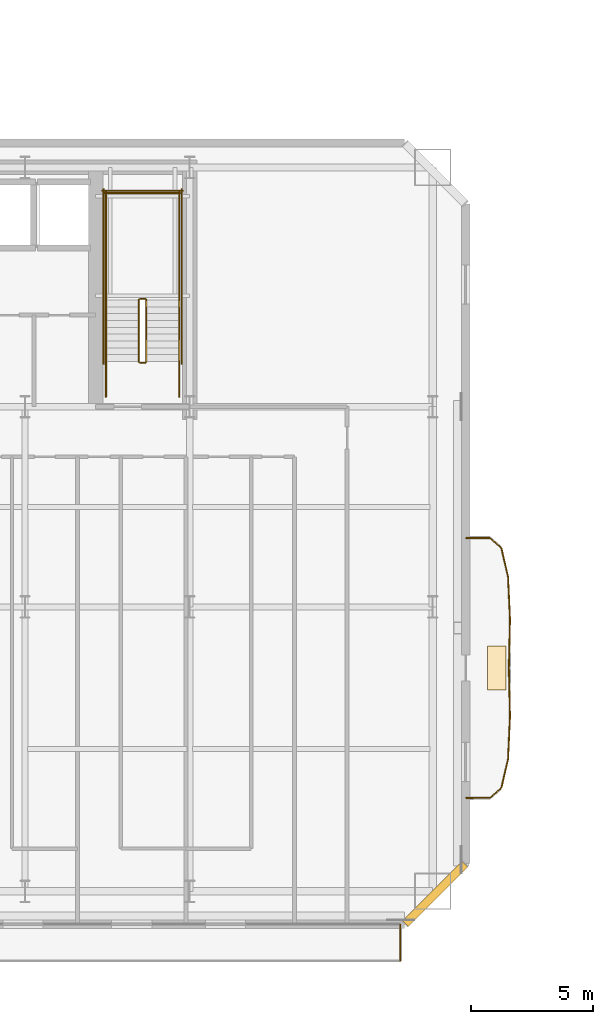
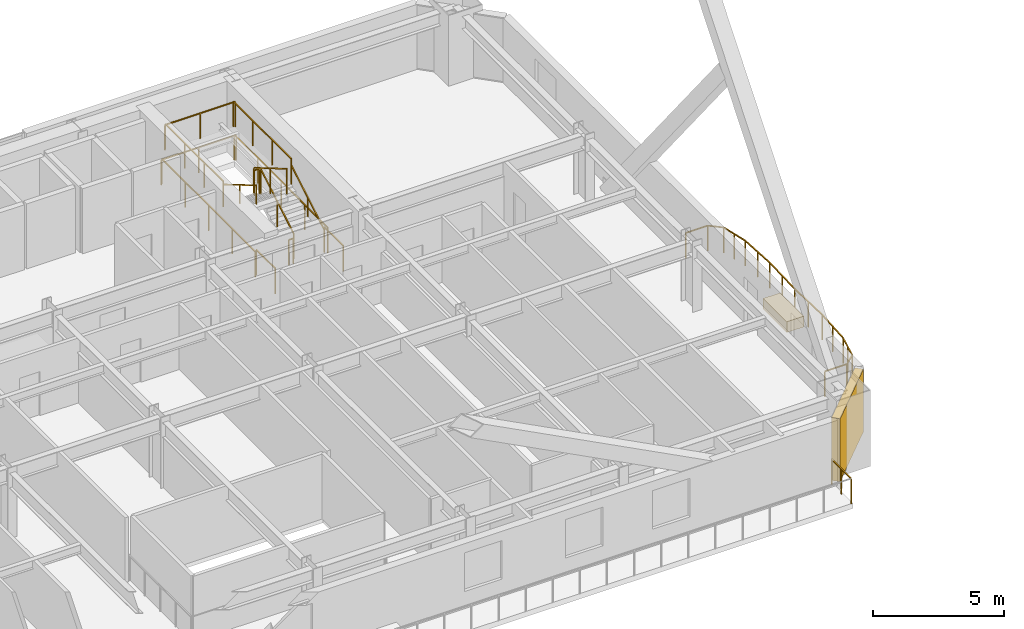
# One storey, part 18 of 22: 25 railings, 1 covering, 1 shading device.
"""IFC4 building model written with IfcOpenShell, lengths in metres."""

from ifc_helpers import new_model, si_unit, direction, frame, origin, origin_2d, place, context, subcontext, project, spatial, rectangle, extrude, material, layer, layer_set, type_object, element, save


model = new_model("IFC4")

# Units and contexts
model_context = context("Model", 3, precision=1e-05, world=origin(), true_north=direction((0.0, 1.0)))
body_context = subcontext(model_context, "Body", "Model", "MODEL_VIEW")
ifc_project = project(units=[si_unit("LENGTHUNIT", "METRE"), si_unit("AREAUNIT", "SQUARE_METRE"), si_unit("VOLUMEUNIT", "CUBIC_METRE"), si_unit("PLANEANGLEUNIT", "RADIAN"), si_unit("MASSUNIT", "GRAM", prefix="KILO")], contexts=[model_context])

# Site, building, storey
site_placement = place(None, origin())
site = spatial("IfcSite", under=ifc_project, at=site_placement, CompositionType="ELEMENT")
building_placement = place(site_placement, origin())
building = spatial("IfcBuilding", under=site, at=building_placement, Name="Haevon Station Towers", CompositionType="ELEMENT")
storey_placement = place(building_placement, frame((0.0, 0.0, 70.199951171875)))
storey = spatial("IfcBuildingStorey", under=building, at=storey_placement, Name="L18", CompositionType="ELEMENT", Elevation=70.199951171875)

# Railings
ifc_material_1 = material(Name="Steel S355", Category="steel")
railing_type_1 = type_object("IfcRailingType", Name="GRD-EXT1200", PredefinedType="GUARDRAIL", material=ifc_material_1)
railing_1_placement = place(storey_placement, frame((59.6201171875, 15.502685546875, 0.0)))
element("IfcRailing", 1, at=railing_1_placement, inside=storey, type_object=railing_type_1, Name="L18 Perimeter Guardrail 2", PredefinedType="GUARDRAIL", context=body_context, shape_type="SweptSolid", body=[
    extrude(rectangle(XDim=0.048095703125, YDim=0.048095703125, at=origin_2d()), frame((0.0, 0.0, 1.17578125), z_axis=(0.0, 1.0, 0.0), x_axis=(-1.0, 0.0, 0.0)), (0.0, 0.0, 1.0), 1.489501953125),
    extrude(rectangle(XDim=0.0419921875, YDim=0.0419921875, at=origin_2d()), origin(), (0.0, 0.0, 1.0), 1.15185546875),
    extrude(rectangle(XDim=0.0419921875, YDim=0.0419921875, at=origin_2d()), frame((0.0, 0.74462890625, 0.0)), (0.0, 0.0, 1.0), 1.15185546875),
    extrude(rectangle(XDim=0.0419921875, YDim=0.0419921875, at=origin_2d()), frame((0.0, 1.489501953125, 0.0)), (0.0, 0.0, 1.0), 1.15185546875),
])
railing_2_placement = place(storey_placement, frame((62.3232421875, 22.177978515625, 0.0)))
element("IfcRailing", 2, at=railing_2_placement, inside=storey, type_object=railing_type_1, Name="L18 Perimeter Guardrail 1", PredefinedType="GUARDRAIL", context=body_context, shape_type="SweptSolid", body=[
    extrude(rectangle(XDim=0.048095703125, YDim=0.048095703125, at=origin_2d()), frame((0.0, 0.0, 1.17578125), z_axis=(0.999997990976, 0.002004506121, 0.0), x_axis=(-0.002004506121, 0.999997990976, 0.0)), (0.0, 0.0, 1.0), 0.974365234375),
    extrude(rectangle(XDim=0.0419921875, YDim=0.0419921875, at=origin_2d()), origin(), (0.0, 0.0, 1.0), 1.15185546875),
    extrude(rectangle(XDim=0.0419921875, YDim=0.0419921875, at=origin_2d()), frame((0.974365234375, 0.001953125, 0.0)), (0.0, 0.0, 1.0), 1.15185546875),
])
railing_3_placement = place(storey_placement, frame((63.297607421875, 22.179931640625, 0.0)))
element("IfcRailing", 3, at=railing_3_placement, inside=storey, type_object=railing_type_1, Name="L18 Perimeter Guardrail 2", PredefinedType="GUARDRAIL", context=body_context, shape_type="SweptSolid", body=[
    extrude(rectangle(XDim=0.048095703125, YDim=0.048095703125, at=origin_2d()), frame((0.0, 0.0, 1.17578125), z_axis=(0.750946844262, 0.660362655738, 0.0), x_axis=(-0.660362655738, 0.750946844262, 0.0)), (0.0, 0.0, 1.0), 0.62255859375),
    extrude(rectangle(XDim=0.0419921875, YDim=0.0419921875, at=origin_2d()), origin(), (0.0, 0.0, 1.0), 1.15185546875),
    extrude(rectangle(XDim=0.0419921875, YDim=0.0419921875, at=origin_2d()), frame((0.467529296875, 0.4111328125, 0.0)), (0.0, 0.0, 1.0), 1.15185546875),
])
railing_4_placement = place(storey_placement, frame((63.76513671875, 22.591064453125, 0.0)))
element("IfcRailing", 4, at=railing_4_placement, inside=storey, type_object=railing_type_1, Name="L18 Perimeter Guardrail 3", PredefinedType="GUARDRAIL", context=body_context, shape_type="SweptSolid", body=[
    extrude(rectangle(XDim=0.048095703125, YDim=0.048095703125, at=origin_2d()), frame((0.0, 0.0, 1.17578125), z_axis=(0.227396637596, 0.973802222841, 0.0), x_axis=(-0.973802222841, 0.227396637596, 0.0)), (0.0, 0.0, 1.0), 1.201416015625),
    extrude(rectangle(XDim=0.0419921875, YDim=0.0419921875, at=origin_2d()), origin(), (0.0, 0.0, 1.0), 1.15185546875),
    extrude(rectangle(XDim=0.0419921875, YDim=0.0419921875, at=origin_2d()), frame((0.13671875, 0.5849609375, 0.0)), (0.0, 0.0, 1.0), 1.15185546875),
    extrude(rectangle(XDim=0.0419921875, YDim=0.0419921875, at=origin_2d()), frame((0.273193359375, 1.169921875, 0.0)), (0.0, 0.0, 1.0), 1.15185546875),
])
railing_5_placement = place(storey_placement, frame((64.038330078125, 23.760986328125, 0.0)))
element("IfcRailing", 5, at=railing_5_placement, inside=storey, type_object=railing_type_1, Name="L18 Perimeter Guardrail 4", PredefinedType="GUARDRAIL", context=body_context, shape_type="SweptSolid", body=[
    extrude(rectangle(XDim=0.048095703125, YDim=0.048095703125, at=origin_2d()), frame((0.0, 0.0, 1.17578125), z_axis=(0.046280248454, 0.99892849524, 0.0), x_axis=(-0.99892849524, 0.046280248454, 0.0)), (0.0, 0.0, 1.0), 1.75146484375),
    extrude(rectangle(XDim=0.0419921875, YDim=0.0419921875, at=origin_2d()), origin(), (0.0, 0.0, 1.0), 1.15185546875),
    extrude(rectangle(XDim=0.0419921875, YDim=0.0419921875, at=origin_2d()), frame((0.04052734375, 0.874755859375, 0.0)), (0.0, 0.0, 1.0), 1.15185546875),
    extrude(rectangle(XDim=0.0419921875, YDim=0.0419921875, at=origin_2d()), frame((0.0810546875, 1.74951171875, 0.0)), (0.0, 0.0, 1.0), 1.15185546875),
])
railing_6_placement = place(storey_placement, frame((64.119384765625, 25.510498046875, 0.0)))
element("IfcRailing", 6, at=railing_6_placement, inside=storey, type_object=railing_type_1, Name="L18 Perimeter Guardrail 5", PredefinedType="GUARDRAIL", context=body_context, shape_type="SweptSolid", body=[
    extrude(rectangle(XDim=0.048095703125, YDim=0.048095703125, at=origin_2d()), frame((0.0, 0.0, 1.17578125), z_axis=(-0.02416768438, 0.99970791886, 0.0), x_axis=(-0.99970791886, -0.02416768438, 0.0)), (0.0, 0.0, 1.0), 1.989990234375),
    extrude(rectangle(XDim=0.0419921875, YDim=0.0419921875, at=origin_2d()), origin(), (0.0, 0.0, 1.0), 1.15185546875),
    extrude(rectangle(XDim=0.0419921875, YDim=0.0419921875, at=origin_2d()), frame((-0.02392578125, 0.99462890625, 0.0)), (0.0, 0.0, 1.0), 1.15185546875),
    extrude(rectangle(XDim=0.0419921875, YDim=0.0419921875, at=origin_2d()), frame((-0.048095703125, 1.989501953125, 0.0)), (0.0, 0.0, 1.0), 1.15185546875),
])
railing_7_placement = place(storey_placement, frame((64.0712890625, 27.5, 0.0)))
element("IfcRailing", 7, at=railing_7_placement, inside=storey, type_object=railing_type_1, Name="L18 Perimeter Guardrail 6", PredefinedType="GUARDRAIL", context=body_context, shape_type="SweptSolid", body=[
    extrude(rectangle(XDim=0.048095703125, YDim=0.048095703125, at=origin_2d()), frame((0.0, 0.0, 1.17578125), z_axis=(0.02416768438, 0.99970791886, 0.0), x_axis=(-0.99970791886, 0.02416768438, 0.0)), (0.0, 0.0, 1.0), 1.989990234375),
    extrude(rectangle(XDim=0.0419921875, YDim=0.0419921875, at=origin_2d()), origin(), (0.0, 0.0, 1.0), 1.15185546875),
    extrude(rectangle(XDim=0.0419921875, YDim=0.0419921875, at=origin_2d()), frame((0.02392578125, 0.99462890625, 0.0)), (0.0, 0.0, 1.0), 1.15185546875),
    extrude(rectangle(XDim=0.0419921875, YDim=0.0419921875, at=origin_2d()), frame((0.048095703125, 1.989501953125, 0.0)), (0.0, 0.0, 1.0), 1.15185546875),
])
railing_8_placement = place(storey_placement, frame((64.119384765625, 29.489501953125, 0.0)))
element("IfcRailing", 8, at=railing_8_placement, inside=storey, type_object=railing_type_1, Name="L18 Perimeter Guardrail 7", PredefinedType="GUARDRAIL", context=body_context, shape_type="SweptSolid", body=[
    extrude(rectangle(XDim=0.048095703125, YDim=0.048095703125, at=origin_2d()), frame((0.0, 0.0, 1.17578125), z_axis=(-0.046280248454, 0.99892849524, 0.0), x_axis=(-0.99892849524, -0.046280248454, 0.0)), (0.0, 0.0, 1.0), 1.75146484375),
    extrude(rectangle(XDim=0.0419921875, YDim=0.0419921875, at=origin_2d()), origin(), (0.0, 0.0, 1.0), 1.15185546875),
    extrude(rectangle(XDim=0.0419921875, YDim=0.0419921875, at=origin_2d()), frame((-0.04052734375, 0.874755859375, 0.0)), (0.0, 0.0, 1.0), 1.15185546875),
    extrude(rectangle(XDim=0.0419921875, YDim=0.0419921875, at=origin_2d()), frame((-0.0810546875, 1.74951171875, 0.0)), (0.0, 0.0, 1.0), 1.15185546875),
])
railing_9_placement = place(storey_placement, frame((64.038330078125, 31.239013671875, 0.0)))
element("IfcRailing", 9, at=railing_9_placement, inside=storey, type_object=railing_type_1, Name="L18 Perimeter Guardrail 8", PredefinedType="GUARDRAIL", context=body_context, shape_type="SweptSolid", body=[
    extrude(rectangle(XDim=0.048095703125, YDim=0.048095703125, at=origin_2d()), frame((0.0, 0.0, 1.17578125), z_axis=(-0.227396637596, 0.973802222841, 0.0), x_axis=(-0.973802222841, -0.227396637596, 0.0)), (0.0, 0.0, 1.0), 1.201416015625),
    extrude(rectangle(XDim=0.0419921875, YDim=0.0419921875, at=origin_2d()), origin(), (0.0, 0.0, 1.0), 1.15185546875),
    extrude(rectangle(XDim=0.0419921875, YDim=0.0419921875, at=origin_2d()), frame((-0.13671875, 0.5849609375, 0.0)), (0.0, 0.0, 1.0), 1.15185546875),
    extrude(rectangle(XDim=0.0419921875, YDim=0.0419921875, at=origin_2d()), frame((-0.273193359375, 1.169921875, 0.0)), (0.0, 0.0, 1.0), 1.15185546875),
])
railing_10_placement = place(storey_placement, frame((63.76513671875, 32.408935546875, 0.0)))
element("IfcRailing", 10, at=railing_10_placement, inside=storey, type_object=railing_type_1, Name="L18 Perimeter Guardrail 9", PredefinedType="GUARDRAIL", context=body_context, shape_type="SweptSolid", body=[
    extrude(rectangle(XDim=0.048095703125, YDim=0.048095703125, at=origin_2d()), frame((0.0, 0.0, 1.17578125), z_axis=(-0.750946844262, 0.660362655738, 0.0), x_axis=(-0.660362655738, -0.750946844262, 0.0)), (0.0, 0.0, 1.0), 0.62255859375),
    extrude(rectangle(XDim=0.0419921875, YDim=0.0419921875, at=origin_2d()), origin(), (0.0, 0.0, 1.0), 1.15185546875),
    extrude(rectangle(XDim=0.0419921875, YDim=0.0419921875, at=origin_2d()), frame((-0.467529296875, 0.4111328125, 0.0)), (0.0, 0.0, 1.0), 1.15185546875),
])
railing_11_placement = place(storey_placement, frame((63.297607421875, 32.820068359375, 0.0)))
element("IfcRailing", 11, at=railing_11_placement, inside=storey, type_object=railing_type_1, Name="L18 Perimeter Guardrail 10", PredefinedType="GUARDRAIL", context=body_context, shape_type="SweptSolid", body=[
    extrude(rectangle(XDim=0.048095703125, YDim=0.048095703125, at=origin_2d()), frame((0.0, 0.0, 1.17578125), z_axis=(-0.999997990976, 0.002004506121, 0.0), x_axis=(-0.002004506121, -0.999997990976, 0.0)), (0.0, 0.0, 1.0), 0.974365234375),
    extrude(rectangle(XDim=0.0419921875, YDim=0.0419921875, at=origin_2d()), origin(), (0.0, 0.0, 1.0), 1.15185546875),
    extrude(rectangle(XDim=0.0419921875, YDim=0.0419921875, at=origin_2d()), frame((-0.974365234375, 0.001953125, 0.0)), (0.0, 0.0, 1.0), 1.15185546875),
])
railing_type_2 = type_object("IfcRailingType", Name="GRD-STR1200", PredefinedType="GUARDRAIL", material=ifc_material_1)
railing_12_placement = place(storey_placement, frame((49.219970703125, 40.050048828125, 0.1650390625)))
element("IfcRailing", 12, at=railing_12_placement, inside=storey, type_object=railing_type_2, Name="L18 ST2 Stair Guard 1", PredefinedType="GUARDRAIL", context=body_context, shape_type="SweptSolid", body=[
    extrude(rectangle(XDim=0.048095703125, YDim=0.048095703125, at=origin_2d()), frame((0.0, 0.0, 1.17578125), z_axis=(0.0, 0.86152411907, 0.507716645641), x_axis=(-1.0, 0.0, 0.0)), (0.0, 0.0, 1.0), 2.925048828125),
    extrude(rectangle(XDim=0.0419921875, YDim=0.0419921875, at=origin_2d()), origin(), (0.0, 0.0, 1.0), 1.15185546875),
    extrude(rectangle(XDim=0.0419921875, YDim=0.0419921875, at=origin_2d()), frame((0.0, 1.260009765625, 0.74267578125)), (0.0, 0.0, 1.0), 1.15185546875),
    extrude(rectangle(XDim=0.0419921875, YDim=0.0419921875, at=origin_2d()), frame((0.0, 2.52001953125, 1.485107421875)), (0.0, 0.0, 1.0), 1.15185546875),
])
railing_13_placement = place(storey_placement, frame((49.169921875, 42.6201171875, 1.650146484375)))
element("IfcRailing", 13, at=railing_13_placement, inside=storey, type_object=railing_type_2, Name="L18 ST2 Stair Guard 2", PredefinedType="GUARDRAIL", context=body_context, shape_type="SweptSolid", body=[
    extrude(rectangle(XDim=0.048095703125, YDim=0.048095703125, at=origin_2d()), frame((0.0, 0.0, 1.17578125), z_axis=(-1.0, 0.0, 0.0), x_axis=(0.0, -1.0, 0.0)), (0.0, 0.0, 1.0), 0.199951171875),
    extrude(rectangle(XDim=0.0419921875, YDim=0.0419921875, at=origin_2d()), origin(), (0.0, 0.0, 1.0), 1.15185546875),
    extrude(rectangle(XDim=0.0419921875, YDim=0.0419921875, at=origin_2d()), frame((-0.199951171875, 0.0, 0.0)), (0.0, 0.0, 1.0), 1.15185546875),
])
for number, where, name in (
    (14, (50.570068359375, 42.570068359375, 1.650146484375), "L18 ST2 Stair Guard 3"),
    (15, (47.570068359375, 42.570068359375, 1.650146484375), "L18 ST2 Stair Guard 4"),
):
    element("IfcRailing", number, at=place(storey_placement, frame(where)), inside=storey, type_object=railing_type_2, Name=name, PredefinedType="GUARDRAIL", context=body_context, shape_type="SweptSolid", body=[
        extrude(rectangle(XDim=0.048095703125, YDim=0.048095703125, at=origin_2d()), frame((0.0, 0.0, 1.17578125), z_axis=(0.0, 1.0, 0.0), x_axis=(-1.0, 0.0, 0.0)), (0.0, 0.0, 1.0), 4.429931640625),
        extrude(rectangle(XDim=0.0419921875, YDim=0.0419921875, at=origin_2d()), origin(), (0.0, 0.0, 1.0), 1.15185546875),
        extrude(rectangle(XDim=0.0419921875, YDim=0.0419921875, at=origin_2d()), frame((0.0, 1.4765625, 0.0)), (0.0, 0.0, 1.0), 1.15185546875),
        extrude(rectangle(XDim=0.0419921875, YDim=0.0419921875, at=origin_2d()), frame((0.0, 2.953369140625, 0.0)), (0.0, 0.0, 1.0), 1.15185546875),
        extrude(rectangle(XDim=0.0419921875, YDim=0.0419921875, at=origin_2d()), frame((0.0, 4.429931640625, 0.0)), (0.0, 0.0, 1.0), 1.15185546875),
    ])
railing_14_placement = place(storey_placement, frame((50.6201171875, 46.949951171875, 1.650146484375)))
element("IfcRailing", 16, at=railing_14_placement, inside=storey, type_object=railing_type_2, Name="L18 ST2 Stair Guard 5", PredefinedType="GUARDRAIL", context=body_context, shape_type="SweptSolid", body=[
    extrude(rectangle(XDim=0.048095703125, YDim=0.048095703125, at=origin_2d()), frame((0.0, 0.0, 1.17578125), z_axis=(-1.0, 0.0, 0.0), x_axis=(0.0, -1.0, 0.0)), (0.0, 0.0, 1.0), 3.10009765625),
    extrude(rectangle(XDim=0.0419921875, YDim=0.0419921875, at=origin_2d()), origin(), (0.0, 0.0, 1.0), 1.15185546875),
    extrude(rectangle(XDim=0.0419921875, YDim=0.0419921875, at=origin_2d()), frame((-1.550048828125, 0.0, 0.0)), (0.0, 0.0, 1.0), 1.15185546875),
    extrude(rectangle(XDim=0.0419921875, YDim=0.0419921875, at=origin_2d()), frame((-3.10009765625, 0.0, 0.0)), (0.0, 0.0, 1.0), 1.15185546875),
])
railing_15_placement = place(storey_placement, frame((48.919921875, 42.570068359375, 1.81494140625)))
element("IfcRailing", 17, at=railing_15_placement, inside=storey, type_object=railing_type_2, Name="L18 ST2 Stair Guard 6", PredefinedType="GUARDRAIL", context=body_context, shape_type="SweptSolid", body=[
    extrude(rectangle(XDim=0.048095703125, YDim=0.048095703125, at=origin_2d()), frame((0.0, 0.0, 1.17578125), z_axis=(0.0, -0.86152411907, 0.507716645641), x_axis=(1.0, 0.0, 0.0)), (0.0, 0.0, 1.0), 2.925048828125),
    extrude(rectangle(XDim=0.0419921875, YDim=0.0419921875, at=origin_2d()), origin(), (0.0, 0.0, 1.0), 1.15185546875),
    extrude(rectangle(XDim=0.0419921875, YDim=0.0419921875, at=origin_2d()), frame((0.0, -1.260009765625, 0.74267578125)), (0.0, 0.0, 1.0), 1.15185546875),
    extrude(rectangle(XDim=0.0419921875, YDim=0.0419921875, at=origin_2d()), frame((0.0, -2.52001953125, 1.485107421875)), (0.0, 0.0, 1.0), 1.15185546875),
])
railing_16_placement = place(storey_placement, frame((49.169921875, 40.0, 0.0)))
element("IfcRailing", 18, at=railing_16_placement, inside=storey, type_object=railing_type_2, Name="L18 ST2 Stair Guard 7", PredefinedType="GUARDRAIL", context=body_context, shape_type="SweptSolid", body=[
    extrude(rectangle(XDim=0.048095703125, YDim=0.048095703125, at=origin_2d()), frame((0.0, 0.0, 1.17578125), z_axis=(-1.0, 0.0, 0.0), x_axis=(0.0, -1.0, 0.0)), (0.0, 0.0, 1.0), 0.199951171875),
    extrude(rectangle(XDim=0.0419921875, YDim=0.0419921875, at=origin_2d()), origin(), (0.0, 0.0, 1.0), 1.15185546875),
    extrude(rectangle(XDim=0.0419921875, YDim=0.0419921875, at=origin_2d()), frame((-0.199951171875, 0.0, 0.0)), (0.0, 0.0, 1.0), 1.15185546875),
])
for number, where, name in (
    (19, (50.570068359375, 38.60009765625, 0.0), "L18 ST2 Stair Guard 8"),
    (20, (47.570068359375, 38.60009765625, 0.0), "L18 ST2 Stair Guard 9"),
):
    element("IfcRailing", number, at=place(storey_placement, frame(where)), inside=storey, type_object=railing_type_2, Name=name, PredefinedType="GUARDRAIL", context=body_context, shape_type="SweptSolid", body=[
        extrude(rectangle(XDim=0.048095703125, YDim=0.048095703125, at=origin_2d()), frame((0.0, 0.0, 1.17578125), z_axis=(0.0, 1.0, 0.0), x_axis=(-1.0, 0.0, 0.0)), (0.0, 0.0, 1.0), 1.449951171875),
        extrude(rectangle(XDim=0.0419921875, YDim=0.0419921875, at=origin_2d()), origin(), (0.0, 0.0, 1.0), 1.15185546875),
        extrude(rectangle(XDim=0.0419921875, YDim=0.0419921875, at=origin_2d()), frame((0.0, 1.449951171875, 0.0)), (0.0, 0.0, 1.0), 1.15185546875),
    ])
for number, where, name in (
    (21, (50.669921875, 39.949951171875, 0.0), "L18 ST2 Stair Guard 10"),
    (22, (47.469970703125, 39.949951171875, 0.0), "L18 ST2 Stair Guard 11"),
):
    element("IfcRailing", number, at=place(storey_placement, frame(where)), inside=storey, type_object=railing_type_2, Name=name, PredefinedType="GUARDRAIL", context=body_context, shape_type="SweptSolid", body=[
        extrude(rectangle(XDim=0.048095703125, YDim=0.048095703125, at=origin_2d()), frame((0.0, 0.0, 1.17578125), z_axis=(0.0, 1.0, 0.0), x_axis=(-1.0, 0.0, 0.0)), (0.0, 0.0, 1.0), 7.150146484375),
        extrude(rectangle(XDim=0.0419921875, YDim=0.0419921875, at=origin_2d()), origin(), (0.0, 0.0, 1.0), 1.15185546875),
        extrude(rectangle(XDim=0.0419921875, YDim=0.0419921875, at=origin_2d()), frame((0.0, 1.78759765625, 0.0)), (0.0, 0.0, 1.0), 1.15185546875),
        extrude(rectangle(XDim=0.0419921875, YDim=0.0419921875, at=origin_2d()), frame((0.0, 3.5751953125, 0.0)), (0.0, 0.0, 1.0), 1.15185546875),
        extrude(rectangle(XDim=0.0419921875, YDim=0.0419921875, at=origin_2d()), frame((0.0, 5.362548828125, 0.0)), (0.0, 0.0, 1.0), 1.15185546875),
        extrude(rectangle(XDim=0.0419921875, YDim=0.0419921875, at=origin_2d()), frame((0.0, 7.150146484375, 0.0)), (0.0, 0.0, 1.0), 1.15185546875),
    ])
railing_17_placement = place(storey_placement, frame((50.719970703125, 47.050048828125, 0.0)))
element("IfcRailing", 23, at=railing_17_placement, inside=storey, type_object=railing_type_2, Name="L18 ST2 Stair Guard 12", PredefinedType="GUARDRAIL", context=body_context, shape_type="SweptSolid", body=[
    extrude(rectangle(XDim=0.048095703125, YDim=0.048095703125, at=origin_2d()), frame((0.0, 0.0, 1.17578125), z_axis=(-1.0, 0.0, 0.0), x_axis=(0.0, -1.0, 0.0)), (0.0, 0.0, 1.0), 3.300048828125),
    extrude(rectangle(XDim=0.0419921875, YDim=0.0419921875, at=origin_2d()), origin(), (0.0, 0.0, 1.0), 1.15185546875),
    extrude(rectangle(XDim=0.0419921875, YDim=0.0419921875, at=origin_2d()), frame((-1.64990234375, 0.0, 0.0)), (0.0, 0.0, 1.0), 1.15185546875),
    extrude(rectangle(XDim=0.0419921875, YDim=0.0419921875, at=origin_2d()), frame((-3.300048828125, 0.0, 0.0)), (0.0, 0.0, 1.0), 1.15185546875),
])
railing_type_3 = type_object("IfcRailingType", Name="HND-STR900", PredefinedType="HANDRAIL", material=ifc_material_1)
railing_18_placement = place(storey_placement, frame((50.570068359375, 40.050048828125, 0.1650390625)))
element("IfcRailing", 24, at=railing_18_placement, inside=storey, type_object=railing_type_3, Name="L18 ST2 Stair Handrail 1", PredefinedType="HANDRAIL", context=body_context, shape_type="SweptSolid", body=[
    extrude(rectangle(XDim=0.048095703125, YDim=0.048095703125, at=origin_2d()), frame((0.0, 0.0, 0.8759765625), z_axis=(0.0, 0.86152411907, 0.507716645641), x_axis=(-1.0, 0.0, 0.0)), (0.0, 0.0, 1.0), 2.925048828125),
    extrude(rectangle(XDim=0.0419921875, YDim=0.0419921875, at=origin_2d()), origin(), (0.0, 0.0, 1.0), 0.851806640625),
    extrude(rectangle(XDim=0.0419921875, YDim=0.0419921875, at=origin_2d()), frame((0.0, 1.260009765625, 0.74267578125)), (0.0, 0.0, 1.0), 0.851806640625),
    extrude(rectangle(XDim=0.0419921875, YDim=0.0419921875, at=origin_2d()), frame((0.0, 2.52001953125, 1.485107421875)), (0.0, 0.0, 1.0), 0.851806640625),
])
railing_19_placement = place(storey_placement, frame((47.570068359375, 42.570068359375, 1.81494140625)))
element("IfcRailing", 25, at=railing_19_placement, inside=storey, type_object=railing_type_3, Name="L18 ST2 Stair Handrail 2", PredefinedType="HANDRAIL", context=body_context, shape_type="SweptSolid", body=[
    extrude(rectangle(XDim=0.048095703125, YDim=0.048095703125, at=origin_2d()), frame((0.0, 0.0, 0.8759765625), z_axis=(0.0, -0.86152411907, 0.507716645641), x_axis=(1.0, 0.0, 0.0)), (0.0, 0.0, 1.0), 2.925048828125),
    extrude(rectangle(XDim=0.0419921875, YDim=0.0419921875, at=origin_2d()), origin(), (0.0, 0.0, 1.0), 0.851806640625),
    extrude(rectangle(XDim=0.0419921875, YDim=0.0419921875, at=origin_2d()), frame((0.0, -1.260009765625, 0.74267578125)), (0.0, 0.0, 1.0), 0.851806640625),
    extrude(rectangle(XDim=0.0419921875, YDim=0.0419921875, at=origin_2d()), frame((0.0, -2.52001953125, 1.485107421875)), (0.0, 0.0, 1.0), 0.851806640625),
])

# Covering
ifc_material_2 = material(Name="Architectural planter GRC", Category="concrete")
ifc_layer_1 = layer(ifc_material_2, 0.550048828125)
ifc_layer_set_1 = layer_set([ifc_layer_1], Name="Architectural planter GRC")
covering_type = type_object("IfcCoveringType", Name="PLN-GRC550", PredefinedType="MOLDING", material=ifc_layer_set_1)
covering_placement = place(storey_placement, frame((63.5693359375, 27.5, 0.0), z_axis=(0.0, 0.0, 1.0), x_axis=(1.0, 0.0, 0.0)))
element("IfcCovering", 26, at=covering_placement, inside=storey, type_object=covering_type, Name="Tower 1 L18 Scalloped Balcony PLANTER", PredefinedType="MOLDING", context=body_context, shape_type="SweptSolid", body=[
    extrude(rectangle(XDim=0.75, YDim=1.800048828125, at=origin_2d()), origin(), (0.0, 0.0, 1.0), 0.5),
])

# Shading device
ifc_material_3 = material(Name="Anodised aluminium 6063-T6", Category="aluminium")
ifc_layer_2 = layer(ifc_material_3, 0.139892578125)
ifc_layer_set_2 = layer_set([ifc_layer_2], Name="Anodised aluminium 6063-T6")
shading_device_type = type_object("IfcShadingDeviceType", Name="SHD-WIND-BAFFLE", PredefinedType="SHUTTER", material=ifc_layer_set_2)
shading_device_placement = place(storey_placement, frame((61.050048828125, 18.25, 0.05029296875), z_axis=(0.0, 0.0, 1.0), x_axis=(-0.707106781187, -0.707106781187, 0.0)))
element("IfcShadingDevice", 27, at=shading_device_placement, inside=storey, type_object=shading_device_type, Name="Tower 1 L18 Wind-Corner Aerofoil Baffle SEC", PredefinedType="SHUTTER", context=body_context, shape_type="SweptSolid", body=[
    extrude(rectangle(XDim=3.435546875, YDim=0.340087890625, at=origin_2d()), origin(), (0.0, 0.0, 1.0), 2.929931640625),
])

save(model, "model.ifc")
